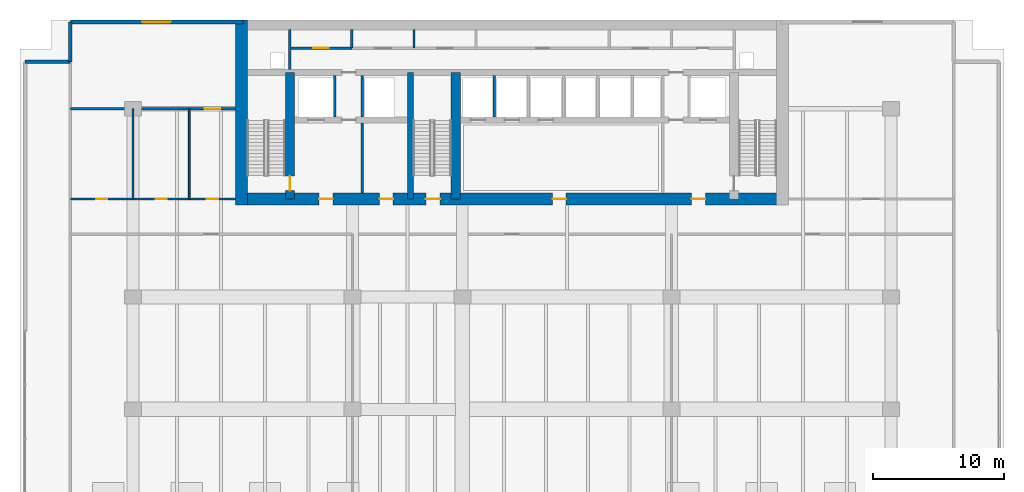
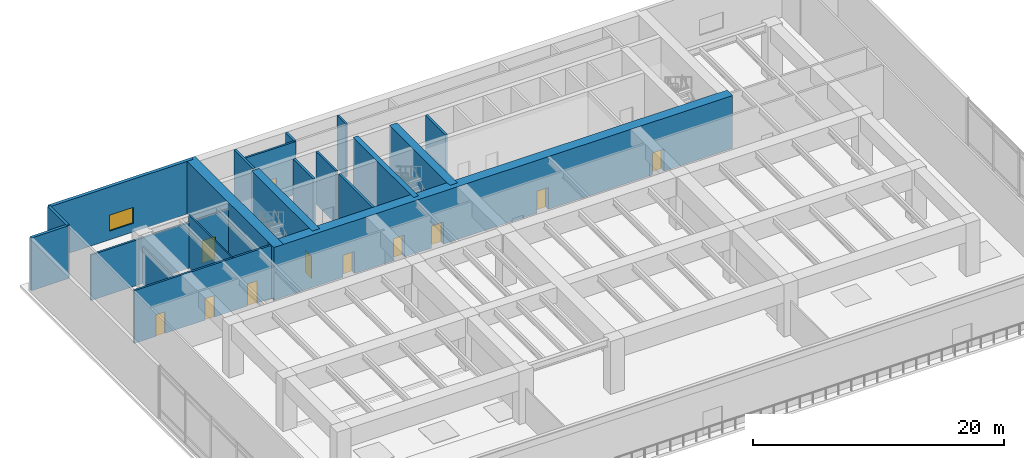
# One storey, part 7 of 12: 20 walls, 11 doors, 1 window, 12 openings.
"""IFC4 building model written with IfcOpenShell, lengths in metres."""

from ifc_helpers import new_model, si_unit, direction, frame, frame_2d, origin, place, context, subcontext, project, spatial, rectangle, extrude, material, layer, layer_set, type_object, element, fill, save


model = new_model("IFC4")

# Units and contexts
model_context = context("Model", 3, precision=1e-05, world=origin(), true_north=direction((0.0, 1.0)))
body_context = subcontext(model_context, "Body", "Model", "MODEL_VIEW")
ifc_project = project(units=[si_unit("LENGTHUNIT", "METRE"), si_unit("AREAUNIT", "SQUARE_METRE"), si_unit("VOLUMEUNIT", "CUBIC_METRE"), si_unit("PLANEANGLEUNIT", "RADIAN"), si_unit("MASSUNIT", "GRAM", prefix="KILO")], contexts=[model_context])

# Site, building, storey
site_placement = place(None, origin())
site = spatial("IfcSite", under=ifc_project, at=site_placement, CompositionType="ELEMENT")
building_placement = place(site_placement, origin())
building = spatial("IfcBuilding", under=site, at=building_placement, Name="Caelmar Bay Residences", CompositionType="ELEMENT")
storey_placement = place(building_placement, frame((0.0, 0.0, 24.60009765625)))
storey = spatial("IfcBuildingStorey", under=building, at=storey_placement, Name="L05", CompositionType="ELEMENT", Elevation=24.60009765625)

# Wall, opening, door
ifc_material_1 = material(Name="Concrete f'c 55 MPa (8,000 psi)", Category="concrete")
ifc_layer_1 = layer(ifc_material_1, 0.699951171875)
ifc_layer_set_1 = layer_set([ifc_layer_1], Name="Concrete f'c 55 MPa (8,000 psi)")
wall_type_1 = type_object("IfcWallType", Name="SW-COR-700", PredefinedType="SHEAR", material=ifc_layer_set_1)
wall_1_placement = place(storey_placement, frame((21.89990234375, 36.89990234375, 0.0), z_axis=(0.0, 0.0, 1.0), x_axis=(0.0, 1.0, 0.0)))
wall_1 = element("IfcWall", 1, at=wall_1_placement, inside=storey, type_object=wall_type_1, Name="L05 Core Structural Web Wall ST1E", PredefinedType="SHEAR", context=body_context, shape_type="SweptSolid", body=[
    extrude(rectangle(XDim=9.675048828125, YDim=0.699951171875, at=frame_2d((4.83740234375, 0.0))), origin(), (0.0, 0.0, 1.0), 5.14990234375),
])
opening_1_placement = place(wall_1_placement, frame((0.64990234375, 0.0, 0.0)))
opening_1 = element("IfcOpeningElement", 2, at=opening_1_placement, cuts=wall_1, Name="Opening D-L05-108", PredefinedType="OPENING", context=body_context, shape_type="SweptSolid", body=[
    extrude(rectangle(XDim=1.10009765625, YDim=2.14990234375, at=frame_2d((0.550048828125, 1.074951171875))), frame((0.0, 0.35986328125, 0.0), z_axis=(0.0, -1.0, 0.0), x_axis=(1.0, 0.0, 0.0)), (0.0, 0.0, 1.0), 0.719970703125),
])
ifc_material_2 = material(Name="Fire-rated steel and walnut architectural door assembly", Category="steel")
ifc_layer_2 = layer(ifc_material_2, 0.050048828125)
ifc_layer_set_2 = layer_set([ifc_layer_2], Name="Fire-rated steel and walnut architectural door assembly")
door_type_1 = type_object("IfcDoorType", Name="D-STAIR-1100", OperationType="NOTDEFINED", PredefinedType="DOOR", material=ifc_layer_set_2)
door_1_placement = place(opening_1_placement, origin())
door_1 = element("IfcDoor", 3, at=door_1_placement, inside=storey, type_object=door_type_1, Name="L05 Firefighting Lobby West Door", OperationType="SINGLE_SWING_LEFT", OverallHeight=2.14990234375, OverallWidth=1.10009765625, PredefinedType="DOOR", context=body_context, shape_type="SweptSolid", body=[
    extrude(rectangle(XDim=1.10009765625, YDim=2.14990234375, at=frame_2d((0.550048828125, 1.074951171875))), frame((0.0, 0.02490234375, 0.0), z_axis=(0.0, -1.0, 0.0), x_axis=(1.0, 0.0, 0.0)), (0.0, 0.0, 1.0), 0.050048828125),
])
fill(opening_1, door_1)

# Wall
wall_2_placement = place(storey_placement, frame((34.60009765625, 36.89990234375, 0.0), z_axis=(0.0, 0.0, 1.0), x_axis=(0.0, 1.0, 0.0)))
element("IfcWall", 4, at=wall_2_placement, inside=storey, type_object=wall_type_1, Name="L05 Core Structural Web Wall ST3E", PredefinedType="SHEAR", context=body_context, shape_type="SweptSolid", body=[
    extrude(rectangle(XDim=9.675048828125, YDim=0.699951171875, at=frame_2d((4.83740234375, 0.0))), origin(), (0.0, 0.0, 1.0), 5.14990234375),
])

# Wall, openings, doors
ifc_material_3 = material(Name="Concrete f'c 70 MPa (10,000 psi)", Category="concrete")
ifc_layer_3 = layer(ifc_material_3, 0.89990234375)
ifc_layer_set_3 = layer_set([ifc_layer_3], Name="Concrete f'c 70 MPa (10,000 psi)")
wall_type_2 = type_object("IfcWallType", Name="SW-COR-900", PredefinedType="SHEAR", material=ifc_layer_set_3)
wall_3_placement = place(storey_placement, frame((17.75, 36.89990234375, 0.0), z_axis=(0.0, 0.0, 1.0), x_axis=(1.0, 0.0, 0.0)))
wall_3 = element("IfcWall", 5, at=wall_3_placement, inside=storey, type_object=wall_type_2, Name="L05 Rear Core South Shear Wall", PredefinedType="SHEAR", context=body_context, shape_type="SweptSolid", body=[
    extrude(rectangle(XDim=42.300048828125, YDim=0.89990234375, at=frame_2d((21.14990234375, 0.0))), origin(), (0.0, 0.0, 1.0), 5.14990234375),
])
opening_2_placement = place(wall_3_placement, frame((14.550048828125, 0.0, 0.0)))
opening_2 = element("IfcOpeningElement", 6, at=opening_2_placement, cuts=wall_3, Name="Opening D-L05-106", PredefinedType="OPENING", context=body_context, shape_type="SweptSolid", body=[
    extrude(rectangle(XDim=1.10009765625, YDim=2.14990234375, at=frame_2d((0.550048828125, 1.074951171875))), frame((0.0, 0.4599609375, 0.0), z_axis=(0.0, -1.0, 0.0), x_axis=(1.0, 0.0, 0.0)), (0.0, 0.0, 1.0), 0.919921875),
])
opening_3_placement = place(wall_3_placement, frame((6.39990234375, 0.0, 0.0)))
opening_3 = element("IfcOpeningElement", 7, at=opening_3_placement, cuts=wall_3, Name="Opening D-L05-107", PredefinedType="OPENING", context=body_context, shape_type="SweptSolid", body=[
    extrude(rectangle(XDim=1.050048828125, YDim=2.14990234375, at=frame_2d((0.52490234375, 1.074951171875))), frame((0.0, 0.4599609375, 0.0), z_axis=(0.0, -1.0, 0.0), x_axis=(1.0, 0.0, 0.0)), (0.0, 0.0, 1.0), 0.919921875),
])
opening_4_placement = place(wall_3_placement, frame((34.89990234375, 0.0, 0.0)))
opening_4 = element("IfcOpeningElement", 8, at=opening_4_placement, cuts=wall_3, Name="Opening D-L05-110", PredefinedType="OPENING", context=body_context, shape_type="SweptSolid", body=[
    extrude(rectangle(XDim=1.050048828125, YDim=2.14990234375, at=frame_2d((0.52490234375, 1.074951171875))), frame((0.0, 0.4599609375, 0.0), z_axis=(0.0, -1.0, 0.0), x_axis=(1.0, 0.0, 0.0)), (0.0, 0.0, 1.0), 0.919921875),
])
opening_5_placement = place(wall_3_placement, frame((11.012451171875, 0.0, 0.0)))
opening_5 = element("IfcOpeningElement", 9, at=opening_5_placement, cuts=wall_3, Name="Opening D-L05-113", PredefinedType="OPENING", context=body_context, shape_type="SweptSolid", body=[
    extrude(rectangle(XDim=1.050048828125, YDim=2.14990234375, at=frame_2d((0.52490234375, 1.074951171875))), frame((0.0, 0.4599609375, 0.0), z_axis=(0.0, -1.0, 0.0), x_axis=(1.0, 0.0, 0.0)), (0.0, 0.0, 1.0), 0.919921875),
])
opening_6_placement = place(wall_3_placement, frame((24.25, 0.0, 0.0)))
opening_6 = element("IfcOpeningElement", 10, at=opening_6_placement, cuts=wall_3, Name="Opening D-L05-114", PredefinedType="OPENING", context=body_context, shape_type="SweptSolid", body=[
    extrude(rectangle(XDim=1.050048828125, YDim=2.14990234375, at=frame_2d((0.52490234375, 1.074951171875))), frame((0.0, 0.4599609375, 0.0), z_axis=(0.0, -1.0, 0.0), x_axis=(1.0, 0.0, 0.0)), (0.0, 0.0, 1.0), 0.919921875),
])
ifc_layer_4 = layer(ifc_material_2, 0.050048828125)
ifc_layer_set_4 = layer_set([ifc_layer_4], Name="Fire-rated steel and walnut architectural door assembly")
door_type_2 = type_object("IfcDoorType", Name="D-FSAE-1050", OperationType="NOTDEFINED", PredefinedType="DOOR", material=ifc_layer_set_4)
door_2_placement = place(opening_3_placement, origin())
door_2 = element("IfcDoor", 11, at=door_2_placement, inside=storey, type_object=door_type_2, Name="L05 Firefighting Lobby West Door", OperationType="SINGLE_SWING_RIGHT", OverallHeight=2.14990234375, OverallWidth=1.050048828125, PredefinedType="DOOR", context=body_context, shape_type="SweptSolid", body=[
    extrude(rectangle(XDim=1.050048828125, YDim=2.14990234375, at=frame_2d((0.52490234375, 1.074951171875))), frame((0.0, 0.02490234375, 0.0), z_axis=(0.0, -1.0, 0.0), x_axis=(1.0, 0.0, 0.0)), (0.0, 0.0, 1.0), 0.050048828125),
])
fill(opening_3, door_2)
door_3_placement = place(opening_4_placement, origin())
door_3 = element("IfcDoor", 12, at=door_3_placement, inside=storey, type_object=door_type_2, Name="L05 Firefighting Lobby East Door", OperationType="SINGLE_SWING_LEFT", OverallHeight=2.14990234375, OverallWidth=1.050048828125, PredefinedType="DOOR", context=body_context, shape_type="SweptSolid", body=[
    extrude(rectangle(XDim=1.050048828125, YDim=2.14990234375, at=frame_2d((0.52490234375, 1.074951171875))), frame((0.0, 0.02490234375, 0.0), z_axis=(0.0, -1.0, 0.0), x_axis=(1.0, 0.0, 0.0)), (0.0, 0.0, 1.0), 0.050048828125),
])
fill(opening_4, door_3)
door_4_placement = place(opening_5_placement, origin())
door_4 = element("IfcDoor", 13, at=door_4_placement, inside=storey, type_object=door_type_2, Name="L05 West Lift Lobby Door", OperationType="SINGLE_SWING_RIGHT", OverallHeight=2.14990234375, OverallWidth=1.050048828125, PredefinedType="DOOR", context=body_context, shape_type="SweptSolid", body=[
    extrude(rectangle(XDim=1.050048828125, YDim=2.14990234375, at=frame_2d((0.52490234375, 1.074951171875))), frame((0.0, 0.02490234375, 0.0), z_axis=(0.0, -1.0, 0.0), x_axis=(1.0, 0.0, 0.0)), (0.0, 0.0, 1.0), 0.050048828125),
])
fill(opening_5, door_4)
door_5_placement = place(opening_6_placement, origin())
door_5 = element("IfcDoor", 14, at=door_5_placement, inside=storey, type_object=door_type_2, Name="L05 Passenger Lift Lobby Door", OperationType="SINGLE_SWING_LEFT", OverallHeight=2.14990234375, OverallWidth=1.050048828125, PredefinedType="DOOR", context=body_context, shape_type="SweptSolid", body=[
    extrude(rectangle(XDim=1.050048828125, YDim=2.14990234375, at=frame_2d((0.52490234375, 1.074951171875))), frame((0.0, 0.02490234375, 0.0), z_axis=(0.0, -1.0, 0.0), x_axis=(1.0, 0.0, 0.0)), (0.0, 0.0, 1.0), 0.050048828125),
])
fill(opening_6, door_5)
door_6_placement = place(opening_2_placement, origin())
door_6 = element("IfcDoor", 15, at=door_6_placement, inside=storey, type_object=door_type_1, Name="L05 Exit Stair ST3 Door", OperationType="SINGLE_SWING_LEFT", OverallHeight=2.14990234375, OverallWidth=1.10009765625, PredefinedType="DOOR", context=body_context, shape_type="SweptSolid", body=[
    extrude(rectangle(XDim=1.10009765625, YDim=2.14990234375, at=frame_2d((0.550048828125, 1.074951171875))), frame((0.0, 0.02490234375, 0.0), z_axis=(0.0, -1.0, 0.0), x_axis=(1.0, 0.0, 0.0)), (0.0, 0.0, 1.0), 0.050048828125),
])
fill(opening_2, door_6)

# Walls
wall_4_placement = place(storey_placement, frame((18.199951171875, 36.449951171875, 0.0), z_axis=(0.0, 0.0, 1.0), x_axis=(0.0, 1.0, 0.0)))
element("IfcWall", 16, at=wall_4_placement, inside=storey, type_object=wall_type_2, Name="L05 Rear Core West Shear Wall", PredefinedType="SHEAR", context=body_context, shape_type="SweptSolid", body=[
    extrude(rectangle(XDim=14.150146484375, YDim=0.89990234375, at=frame_2d((7.0751953125, 0.0))), origin(), (0.0, 0.0, 1.0), 5.14990234375),
])
ifc_layer_5 = layer(ifc_material_3, 0.449951171875)
ifc_layer_set_5 = layer_set([ifc_layer_5], Name="Concrete f'c 70 MPa (10,000 psi)")
wall_type_3 = type_object("IfcWallType", Name="SW-WEB-450", PredefinedType="SHEAR", material=ifc_layer_set_5)
wall_5_placement = place(storey_placement, frame((31.125, 36.89990234375, 0.0), z_axis=(0.0, 0.0, 1.0), x_axis=(0.0, 1.0, 0.0)))
element("IfcWall", 17, at=wall_5_placement, inside=storey, type_object=wall_type_3, Name="L05 Core Structural Web Wall ST3W", PredefinedType="SHEAR", context=body_context, shape_type="SweptSolid", body=[
    extrude(rectangle(XDim=9.675048828125, YDim=0.449951171875, at=frame_2d((4.83740234375, 0.0))), origin(), (0.0, 0.0, 1.0), 5.14990234375),
])
ifc_material_4 = material(Name="Double-stud acoustic fire-rated gypsum partition 180 mm")
ifc_layer_6 = layer(ifc_material_4, 0.179931640625)
ifc_layer_set_6 = layer_set([ifc_layer_6], Name="Double-stud acoustic fire-rated gypsum partition 180 mm")
wall_type_4 = type_object("IfcWallType", Name="W-COR-200", PredefinedType="PARTITIONING", material=ifc_layer_set_6)
for number, where, z_axis, x_axis, name in (
    (18, (26.64990234375, 48.449951171875, 0.0), (0.0, 0.0, 1.0), (0.0, 1.0, 0.0), "L05 Partition Wall V006"),
    (19, (31.39990234375, 48.449951171875, 0.0), (0.0, 0.0, 1.0), (0.0, 1.0, 0.0), "L05 Partition Wall V010"),
):
    element("IfcWall", number, at=place(storey_placement, frame(where, z_axis=z_axis, x_axis=x_axis)), inside=storey, type_object=wall_type_4, Name=name, PredefinedType="PARTITIONING", context=body_context, shape_type="SweptSolid", body=[
        extrude(rectangle(XDim=1.405029296875, YDim=0.179931640625, at=frame_2d((0.70263671875, 0.0))), origin(), (0.0, 0.0, 1.0), 5.14990234375),
    ])

# Wall, openings, doors
wall_6_placement = place(storey_placement, frame((5.10009765625, 36.89990234375, 0.0), z_axis=(0.0, 0.0, 1.0), x_axis=(1.0, 0.0, 0.0)))
wall_6 = element("IfcWall", 20, at=wall_6_placement, inside=storey, type_object=wall_type_4, Name="L05 Partition Wall H027", PredefinedType="PARTITIONING", context=body_context, shape_type="SweptSolid", body=[
    extrude(rectangle(XDim=12.64501953125, YDim=0.179931640625, at=frame_2d((6.322509765625, 0.0))), origin(), (0.0, 0.0, 1.0), 5.14990234375),
])
opening_7_placement = place(wall_6_placement, frame((1.97509765625, 0.0, 0.0)))
opening_7 = element("IfcOpeningElement", 21, at=opening_7_placement, cuts=wall_6, Name="Opening D-L05-126", PredefinedType="OPENING", context=body_context, shape_type="SweptSolid", body=[
    extrude(rectangle(XDim=0.85009765625, YDim=2.10009765625, at=frame_2d((0.425048828125, 1.050048828125))), frame((0.0, 0.099853515625, 0.0), z_axis=(0.0, -1.0, 0.0), x_axis=(1.0, 0.0, 0.0)), (0.0, 0.0, 1.0), 0.199951171875),
])
opening_8_placement = place(wall_6_placement, frame((6.52490234375, 0.0, 0.0)))
opening_8 = element("IfcOpeningElement", 22, at=opening_8_placement, cuts=wall_6, Name="Opening D-L05-127", PredefinedType="OPENING", context=body_context, shape_type="SweptSolid", body=[
    extrude(rectangle(XDim=0.85009765625, YDim=2.10009765625, at=frame_2d((0.425048828125, 1.050048828125))), frame((0.0, 0.099853515625, 0.0), z_axis=(0.0, -1.0, 0.0), x_axis=(1.0, 0.0, 0.0)), (0.0, 0.0, 1.0), 0.199951171875),
])
opening_9_placement = place(wall_6_placement, frame((10.422607421875, 0.0, 0.0)))
opening_9 = element("IfcOpeningElement", 23, at=opening_9_placement, cuts=wall_6, Name="Opening D-L05-128", PredefinedType="OPENING", context=body_context, shape_type="SweptSolid", body=[
    extrude(rectangle(XDim=0.89990234375, YDim=2.14990234375, at=frame_2d((0.449951171875, 1.074951171875))), frame((0.0, 0.099853515625, 0.0), z_axis=(0.0, -1.0, 0.0), x_axis=(1.0, 0.0, 0.0)), (0.0, 0.0, 1.0), 0.199951171875),
])
ifc_material_5 = material(Name="Solid walnut timber interior door leaf and frame", Category="wood")
ifc_layer_7 = layer(ifc_material_5, 0.050048828125)
ifc_layer_set_7 = layer_set([ifc_layer_7], Name="Solid walnut timber interior door leaf and frame")
door_type_3 = type_object("IfcDoorType", Name="D-BATH-850", OperationType="NOTDEFINED", PredefinedType="DOOR", material=ifc_layer_set_7)
door_7_placement = place(opening_7_placement, origin())
door_7 = element("IfcDoor", 24, at=door_7_placement, inside=storey, type_object=door_type_3, Name="L05 Podium L05 Public Restroom Door", OperationType="SINGLE_SWING_LEFT", OverallHeight=2.10009765625, OverallWidth=0.85009765625, PredefinedType="DOOR", context=body_context, shape_type="SweptSolid", body=[
    extrude(rectangle(XDim=0.85009765625, YDim=2.10009765625, at=frame_2d((0.425048828125, 1.050048828125))), frame((0.0, 0.02490234375, 0.0), z_axis=(0.0, -1.0, 0.0), x_axis=(1.0, 0.0, 0.0)), (0.0, 0.0, 1.0), 0.050048828125),
])
fill(opening_7, door_7)
door_8_placement = place(opening_8_placement, origin())
door_8 = element("IfcDoor", 25, at=door_8_placement, inside=storey, type_object=door_type_3, Name="L05 Podium L05 Accessible WC Door", OperationType="SINGLE_SWING_RIGHT", OverallHeight=2.10009765625, OverallWidth=0.85009765625, PredefinedType="DOOR", context=body_context, shape_type="SweptSolid", body=[
    extrude(rectangle(XDim=0.85009765625, YDim=2.10009765625, at=frame_2d((0.425048828125, 1.050048828125))), frame((0.0, 0.02490234375, 0.0), z_axis=(0.0, -1.0, 0.0), x_axis=(1.0, 0.0, 0.0)), (0.0, 0.0, 1.0), 0.050048828125),
])
fill(opening_8, door_8)
ifc_layer_8 = layer(ifc_material_5, 0.050048828125)
ifc_layer_set_8 = layer_set([ifc_layer_8], Name="Solid walnut timber interior door leaf and frame")
door_type_4 = type_object("IfcDoorType", Name="D-ROOM-900", OperationType="NOTDEFINED", PredefinedType="DOOR", material=ifc_layer_set_8)
door_9_placement = place(opening_9_placement, origin())
door_9 = element("IfcDoor", 26, at=door_9_placement, inside=storey, type_object=door_type_4, Name="L05 Podium L05 Linen Storage Door", OperationType="SINGLE_SWING_LEFT", OverallHeight=2.14990234375, OverallWidth=0.89990234375, PredefinedType="DOOR", context=body_context, shape_type="SweptSolid", body=[
    extrude(rectangle(XDim=0.89990234375, YDim=2.14990234375, at=frame_2d((0.449951171875, 1.074951171875))), frame((0.0, 0.02490234375, 0.0), z_axis=(0.0, -1.0, 0.0), x_axis=(1.0, 0.0, 0.0)), (0.0, 0.0, 1.0), 0.050048828125),
])
fill(opening_9, door_9)

# Wall, opening, door
wall_7_placement = place(storey_placement, frame((5.10009765625, 43.800048828125, 0.0), z_axis=(0.0, 0.0, 1.0), x_axis=(1.0, 0.0, 0.0)))
wall_7 = element("IfcWall", 27, at=wall_7_placement, inside=storey, type_object=wall_type_4, Name="L05 Partition Wall H029", PredefinedType="PARTITIONING", context=body_context, shape_type="SweptSolid", body=[
    extrude(rectangle(XDim=12.65478515625, YDim=0.179931640625, at=frame_2d((6.327392578125, 0.0))), origin(), (0.0, 0.0, 1.0), 4.43896484375),
])
opening_10_placement = place(wall_7_placement, frame((10.277587890625, 0.0, 0.0)))
opening_10 = element("IfcOpeningElement", 28, at=opening_10_placement, cuts=wall_7, Name="Opening D-L05-130", PredefinedType="OPENING", context=body_context, shape_type="SweptSolid", body=[
    extrude(rectangle(XDim=1.199951171875, YDim=2.199951171875, at=frame_2d((0.60009765625, 1.10009765625))), frame((0.0, 0.099853515625, 0.0), z_axis=(0.0, -1.0, 0.0), x_axis=(1.0, 0.0, 0.0)), (0.0, 0.0, 1.0), 0.199951171875),
])
ifc_layer_9 = layer(ifc_material_2, 0.050048828125)
ifc_layer_set_9 = layer_set([ifc_layer_9], Name="Fire-rated steel and walnut architectural door assembly")
door_type_5 = type_object("IfcDoorType", Name="D-PLANT-1200", OperationType="NOTDEFINED", PredefinedType="DOOR", material=ifc_layer_set_9)
door_10_placement = place(opening_10_placement, origin())
door_10 = element("IfcDoor", 29, at=door_10_placement, inside=storey, type_object=door_type_5, Name="L05 Podium L05 North Plant Room Door", OperationType="SINGLE_SWING_LEFT", OverallHeight=2.199951171875, OverallWidth=1.199951171875, PredefinedType="DOOR", context=body_context, shape_type="SweptSolid", body=[
    extrude(rectangle(XDim=1.199951171875, YDim=2.199951171875, at=frame_2d((0.60009765625, 1.10009765625))), frame((0.0, 0.02490234375, 0.0), z_axis=(0.0, -1.0, 0.0), x_axis=(1.0, 0.0, 0.0)), (0.0, 0.0, 1.0), 0.050048828125),
])
fill(opening_10, door_10)

wall_8_placement = place(storey_placement, frame((21.89990234375, 48.449951171875, 0.0), z_axis=(0.0, 0.0, 1.0), x_axis=(1.0, 0.0, 0.0)))
wall_8 = element("IfcWall", 30, at=wall_8_placement, inside=storey, type_object=wall_type_4, Name="L05 Partition Wall H030", PredefinedType="PARTITIONING", context=body_context, shape_type="SweptSolid", body=[
    extrude(rectangle(XDim=4.75, YDim=0.179931640625, at=frame_2d((2.375, 0.0))), origin(), (0.0, 0.0, 1.0), 5.14990234375),
])
opening_11_placement = place(wall_8_placement, frame((1.77490234375, 0.0, 0.0)))
opening_11 = element("IfcOpeningElement", 31, at=opening_11_placement, cuts=wall_8, Name="Opening D-L05-117", PredefinedType="OPENING", context=body_context, shape_type="SweptSolid", body=[
    extrude(rectangle(XDim=1.199951171875, YDim=2.199951171875, at=frame_2d((0.60009765625, 1.10009765625))), frame((0.0, 0.099853515625, 0.0), z_axis=(0.0, -1.0, 0.0), x_axis=(1.0, 0.0, 0.0)), (0.0, 0.0, 1.0), 0.199951171875),
])
door_11_placement = place(opening_11_placement, origin())
door_11 = element("IfcDoor", 32, at=door_11_placement, inside=storey, type_object=door_type_5, Name="L05 Branch Panel Closet Door", OperationType="SINGLE_SWING_RIGHT", OverallHeight=2.199951171875, OverallWidth=1.199951171875, PredefinedType="DOOR", context=body_context, shape_type="SweptSolid", body=[
    extrude(rectangle(XDim=1.199951171875, YDim=2.199951171875, at=frame_2d((0.60009765625, 1.10009765625))), frame((0.0, 0.02490234375, 0.0), z_axis=(0.0, -1.0, 0.0), x_axis=(1.0, 0.0, 0.0)), (0.0, 0.0, 1.0), 0.050048828125),
])
fill(opening_11, door_11)

# Walls
ifc_material_6 = material(Name="Precast concrete f'c 40 MPa (6,000 psi)", Category="concrete")
ifc_layer_10 = layer(ifc_material_6, 0.25)
ifc_layer_set_10 = layer_set([ifc_layer_10], Name="Precast concrete f'c 40 MPa (6,000 psi)")
wall_type_5 = type_object("IfcWallType", Name="W-EXT-250", PredefinedType="ELEMENTEDWALL", material=ifc_layer_set_10)
wall_9_placement = place(storey_placement, frame((1.64990234375, 47.39990234375, 0.0), z_axis=(0.0, 0.0, 1.0), x_axis=(1.0, 0.0, 0.0)))
element("IfcWall", 33, at=wall_9_placement, inside=storey, type_object=wall_type_5, Name="L05 NNW-H Notch Wall", PredefinedType="ELEMENTEDWALL", context=body_context, shape_type="SweptSolid", body=[
    extrude(rectangle(XDim=3.4501953125, YDim=0.25, at=frame_2d((1.72509765625, 0.0))), origin(), (0.0, 0.0, 1.0), 5.14990234375),
])
wall_10_placement = place(storey_placement, frame((5.10009765625, 47.39990234375, 0.0), z_axis=(0.0, 0.0, 1.0), x_axis=(0.0, 1.0, 0.0)))
element("IfcWall", 34, at=wall_10_placement, inside=storey, type_object=wall_type_5, Name="L05 NNW-V Notch Wall", PredefinedType="ELEMENTEDWALL", context=body_context, shape_type="SweptSolid", body=[
    extrude(rectangle(XDim=3.050048828125, YDim=0.25, at=frame_2d((1.52490234375, 0.0))), origin(), (0.0, 0.0, 1.0), 5.14990234375),
])

# Wall, opening, window
ifc_layer_11 = layer(ifc_material_6, 0.300048828125)
ifc_layer_set_11 = layer_set([ifc_layer_11], Name="Precast concrete f'c 40 MPa (6,000 psi)")
wall_type_6 = type_object("IfcWallType", Name="W-EXT-300", PredefinedType="STANDARD", material=ifc_layer_set_11)
wall_11_placement = place(storey_placement, frame((5.10009765625, 50.449951171875, 0.0), z_axis=(0.0, 0.0, 1.0), x_axis=(1.0, 0.0, 0.0)))
wall_11 = element("IfcWall", 35, at=wall_11_placement, inside=storey, type_object=wall_type_6, Name="L05 North-West Wing Exterior Wall", PredefinedType="STANDARD", context=body_context, shape_type="SweptSolid", body=[
    extrude(rectangle(XDim=13.199951171875, YDim=0.300048828125, at=frame_2d((6.60009765625, 0.0))), origin(), (0.0, 0.0, 1.0), 5.14990234375),
])
opening_12_placement = place(wall_11_placement, frame((5.5, 0.0, 0.85009765625)))
opening_12 = element("IfcOpeningElement", 36, at=opening_12_placement, cuts=wall_11, Name="Opening WN2", PredefinedType="OPENING", context=body_context, shape_type="SweptSolid", body=[
    extrude(rectangle(XDim=2.199951171875, YDim=1.550048828125, at=frame_2d((1.10009765625, 0.77490234375))), frame((0.0, 0.159912109375, 0.0), z_axis=(0.0, -1.0, 0.0), x_axis=(1.0, 0.0, 0.0)), (0.0, 0.0, 1.0), 0.320068359375),
])
ifc_material_7 = material(Name="Bronze aluminium frame with laminated low-E glass", Category="aluminium")
ifc_layer_12 = layer(ifc_material_7, 0.06005859375)
ifc_layer_set_12 = layer_set([ifc_layer_12], Name="Bronze aluminium frame with laminated low-E glass")
window_type = type_object("IfcWindowType", Name="WIN-BR-2200", PartitioningType="SINGLE_PANEL", PredefinedType="WINDOW", material=ifc_layer_set_12)
window_placement = place(opening_12_placement, origin())
window = element("IfcWindow", 37, at=window_placement, inside=storey, type_object=window_type, Name="L05 North-West Studio Window", OverallHeight=1.550048828125, OverallWidth=2.199951171875, PartitioningType="SINGLE_PANEL", PredefinedType="WINDOW", context=body_context, shape_type="SweptSolid", body=[
    extrude(rectangle(XDim=2.199951171875, YDim=1.550048828125, at=frame_2d((1.10009765625, 0.77490234375))), frame((0.0, 0.030029296875, 0.0), z_axis=(0.0, -1.0, 0.0), x_axis=(1.0, 0.0, 0.0)), (0.0, 0.0, 1.0), 0.06005859375),
])
fill(opening_12, window)

# Walls
ifc_material_8 = material(Name="Fire-rated masonry and gypsum shaftliner assembly 200 mm", Category="masonry")
ifc_layer_13 = layer(ifc_material_8, 0.199951171875)
ifc_layer_set_13 = layer_set([ifc_layer_13], Name="Fire-rated masonry and gypsum shaftliner assembly 200 mm")
wall_type_7 = type_object("IfcWallType", Name="W-FSAE-200", PredefinedType="PARTITIONING", material=ifc_layer_set_13)
wall_12_placement = place(storey_placement, frame((21.89990234375, 46.794921875, 0.0), z_axis=(0.0, 0.0, 1.0), x_axis=(0.0, 1.0, 0.0)))
element("IfcWall", 38, at=wall_12_placement, inside=storey, type_object=wall_type_7, Name="L05 Partition Wall V004", PredefinedType="PARTITIONING", context=body_context, shape_type="SweptSolid", body=[
    extrude(rectangle(XDim=3.06005859375, YDim=0.199951171875, at=frame_2d((1.530029296875, 0.0))), origin(), (0.0, 0.0, 1.0), 5.14990234375),
])
wall_13_placement = place(storey_placement, frame((25.35009765625, 43.169921875, 0.0), z_axis=(0.0, 0.0, 1.0), x_axis=(0.0, 1.0, 0.0)))
element("IfcWall", 39, at=wall_13_placement, inside=storey, type_object=wall_type_7, Name="L05 Partition Wall V005", PredefinedType="PARTITIONING", context=body_context, shape_type="SweptSolid", body=[
    extrude(rectangle(XDim=3.18505859375, YDim=0.199951171875, at=frame_2d((1.592529296875, 0.0))), origin(), (0.0, 0.0, 1.0), 5.14990234375),
])
wall_14_placement = place(storey_placement, frame((27.449951171875, 37.344970703125, 0.0), z_axis=(0.0, 0.0, 1.0), x_axis=(0.0, 1.0, 0.0)))
element("IfcWall", 40, at=wall_14_placement, inside=storey, type_object=wall_type_7, Name="L05 Partition Wall V008", PredefinedType="PARTITIONING", context=body_context, shape_type="SweptSolid", body=[
    extrude(rectangle(XDim=5.385009765625, YDim=0.199951171875, at=frame_2d((2.6923828125, 0.0))), origin(), (0.0, 0.0, 1.0), 5.14990234375),
])
for number, where, z_axis, x_axis, name in (
    (41, (27.449951171875, 43.169921875, 0.0), (0.0, 0.0, 1.0), (0.0, 1.0, 0.0), "L05 Partition Wall V009"),
    (42, (37.550048828125, 43.169921875, 0.0), (0.0, 0.0, 1.0), (0.0, 1.0, 0.0), "L05 Partition Wall V012"),
):
    element("IfcWall", number, at=place(storey_placement, frame(where, z_axis=z_axis, x_axis=x_axis)), inside=storey, type_object=wall_type_7, Name=name, PredefinedType="PARTITIONING", context=body_context, shape_type="SweptSolid", body=[
        extrude(rectangle(XDim=3.18505859375, YDim=0.199951171875, at=frame_2d((1.592529296875, 0.0))), origin(), (0.0, 0.0, 1.0), 5.14990234375),
    ])
ifc_material_9 = material(Name="Acoustic metal-stud gypsum partition 120 mm")
ifc_layer_14 = layer(ifc_material_9, 0.1201171875)
ifc_layer_set_14 = layer_set([ifc_layer_14], Name="Acoustic metal-stud gypsum partition 120 mm")
wall_type_8 = type_object("IfcWallType", Name="W-PRT-120", PredefinedType="PARTITIONING", material=ifc_layer_set_14)
wall_15_placement = place(storey_placement, frame((9.89990234375, 36.89990234375, 0.0), z_axis=(0.0, 0.0, 1.0), x_axis=(0.0, 1.0, 0.0)))
element("IfcWall", 43, at=wall_15_placement, inside=storey, type_object=wall_type_8, Name="L05 Partition Wall V002", PredefinedType="PARTITIONING", context=body_context, shape_type="SweptSolid", body=[
    extrude(rectangle(XDim=6.900146484375, YDim=0.1201171875, at=frame_2d((3.4501953125, 0.0))), origin(), (0.0, 0.0, 1.0), 3.635009765625),
])
wall_16_placement = place(storey_placement, frame((14.199951171875, 36.89990234375, 0.0), z_axis=(0.0, 0.0, 1.0), x_axis=(0.0, 1.0, 0.0)))
element("IfcWall", 44, at=wall_16_placement, inside=storey, type_object=wall_type_8, Name="L05 Partition Wall V003", PredefinedType="PARTITIONING", context=body_context, shape_type="SweptSolid", body=[
    extrude(rectangle(XDim=6.900146484375, YDim=0.1201171875, at=frame_2d((3.4501953125, 0.0))), origin(), (0.0, 0.0, 1.0), 5.14990234375),
])

save(model, "model.ifc")
